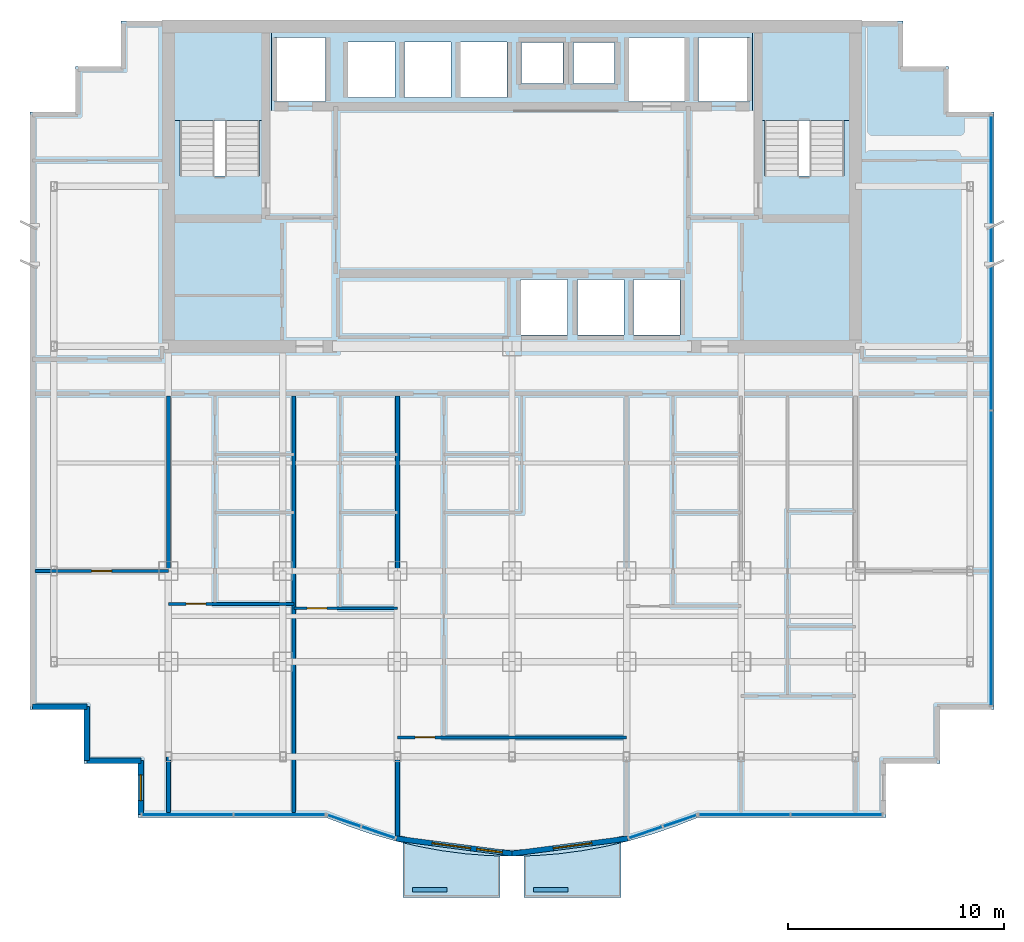
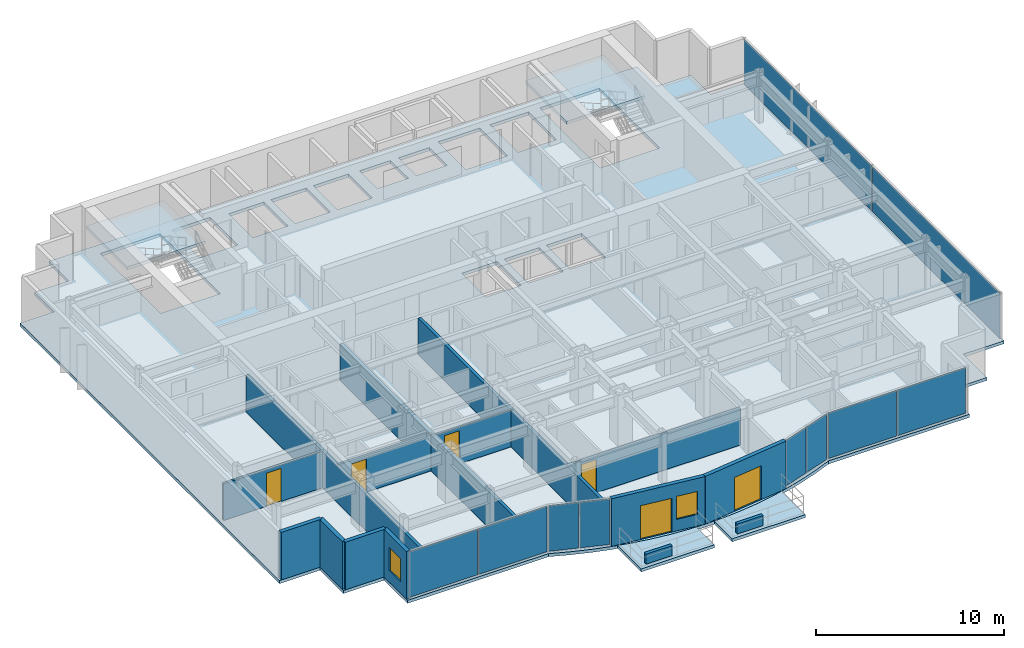
# One storey, part 7 of 13: 15 walls, 10 plates, 6 doors, 5 slabs, 2 windows, 8 openings, 7 elements without a shape of their own.
"""IFC4 building model written with IfcOpenShell, lengths in metres."""

from ifc_helpers import new_model, si_unit, direction, frame, frame_2d, origin, origin_2d, place, context, subcontext, project, spatial, polyline, rectangle, outline, extrude, source, transform, mapped, material, layer, layer_set, type_object, element, fill, aggregate, save


model = new_model("IFC4")

# Units and contexts
model_context = context("Model", 3, precision=1e-05, world=origin(), true_north=direction((0.0, 1.0)))
body_context = subcontext(model_context, "Body", "Model", "MODEL_VIEW")
ifc_project = project(units=[si_unit("LENGTHUNIT", "METRE"), si_unit("AREAUNIT", "SQUARE_METRE"), si_unit("VOLUMEUNIT", "CUBIC_METRE"), si_unit("PLANEANGLEUNIT", "RADIAN"), si_unit("MASSUNIT", "GRAM", prefix="KILO")], contexts=[model_context])

# Site, building, storey
site_placement = place(None, origin())
site = spatial("IfcSite", under=ifc_project, at=site_placement, CompositionType="ELEMENT")
building_placement = place(site_placement, origin())
building = spatial("IfcBuilding", under=site, at=building_placement, Name="Qianlan Lanfeng Residences", CompositionType="ELEMENT")
storey_placement = place(building_placement, frame((0.0, 0.0, 142.5)))
storey = spatial("IfcBuildingStorey", under=building, at=storey_placement, Name="L38", CompositionType="ELEMENT", Elevation=142.5)

# Slabs
ifc_material_1 = material(Name="Concrete C42", Category="concrete")
ifc_layer_1 = layer(ifc_material_1, 0.199951171875)
ifc_layer_set_1 = layer_set([ifc_layer_1], Name="Concrete C42")
slab_type_1 = type_object("IfcSlabType", Name="S-BAL-200", PredefinedType="FLOOR", material=ifc_layer_set_1)
slab_1_placement = place(storey_placement, frame((0.0, 0.0, -0.199951171875)))
element("IfcSlab", 1, at=slab_1_placement, inside=storey, type_object=slab_type_1, Name="L38 Planted Tree Balcony Slab SB-W", PredefinedType="FLOOR", context=body_context, shape_type="SweptSolid", body=[
    extrude(outline(polyline([(25.949951171875, 1.614013671875), (25.422119140625, 1.6279296875), (24.344970703125, 1.712890625), (23.26708984375, 1.85302734375), (22.18994140625, 2.050048828125), (21.449951171875, 2.22412109375), (21.449951171875, -0.300048828125), (25.949951171875, -0.300048828125), (25.949951171875, 1.614013671875)])), origin(), (0.0, 0.0, 1.0), 0.199951171875),
])
slab_2_placement = place(storey_placement, frame((0.0, 0.0, -0.199951171875)))
element("IfcSlab", 2, at=slab_2_placement, inside=storey, type_object=slab_type_1, Name="L38 Planted Tree Balcony Slab SB-E", PredefinedType="FLOOR", context=body_context, shape_type="SweptSolid", body=[
    extrude(outline(polyline([(31.550048828125, 2.22412109375), (30.81005859375, 2.050048828125), (29.73193359375, 1.85302734375), (28.655029296875, 1.7119140625), (27.577880859375, 1.6279296875), (27.050048828125, 1.614013671875), (27.050048828125, -0.300048828125), (31.550048828125, -0.300048828125), (31.550048828125, 2.22412109375)])), origin(), (0.0, 0.0, 1.0), 0.199951171875),
])
ifc_layer_2 = layer(ifc_material_1, 0.199951171875)
ifc_layer_set_2 = layer_set([ifc_layer_2], Name="Concrete C42")
slab_type_2 = type_object("IfcSlabType", Name="S-FL-200", PredefinedType="FLOOR", material=ifc_layer_set_2)
slab_3_placement = place(storey_placement, frame((0.0, 0.0, -0.199951171875)))
element("IfcSlab", 3, at=slab_3_placement, inside=storey, type_object=slab_type_2, Name="L38 Structural Floor Slab", PredefinedType="FLOOR", context=body_context, shape_type="SweptSolid", body=[
    extrude(outline(polyline([(4.199951171875, 8.39990234375), (6.699951171875, 8.39990234375), (6.699951171875, 5.89990234375), (9.199951171875, 5.89990234375), (9.199951171875, 3.39990234375), (17.8798828125, 3.39990234375), (18.95703125, 2.97802734375), (20.034912109375, 2.612060546875), (21.112060546875, 2.302978515625), (22.18994140625, 2.050048828125), (23.26708984375, 1.85302734375), (24.344970703125, 1.712890625), (25.422119140625, 1.6279296875), (26.5, 1.60009765625), (27.577880859375, 1.6279296875), (28.655029296875, 1.7119140625), (29.73193359375, 1.85302734375), (30.81005859375, 2.050048828125), (31.886962890625, 2.302978515625), (32.965087890625, 2.612060546875), (34.0419921875, 2.97802734375), (35.1201171875, 3.39990234375), (43.800048828125, 3.39990234375), (43.800048828125, 5.89990234375), (46.300048828125, 5.89990234375), (46.300048828125, 8.39990234375), (48.800048828125, 8.39990234375), (48.800048828125, 36.050048828125), (46.699951171875, 36.050048828125), (46.699951171875, 38.14990234375), (44.60009765625, 38.14990234375), (44.60009765625, 40.25), (8.39990234375, 40.25), (8.39990234375, 38.14990234375), (6.300048828125, 38.14990234375), (6.300048828125, 36.050048828125), (4.199951171875, 36.050048828125), (4.199951171875, 8.39990234375)]), holes=[polyline([(11.139892578125, 33.080078125), (11.139892578125, 39.5), (14.820068359375, 39.5), (14.820068359375, 33.080078125), (11.139892578125, 33.080078125)]), polyline([(38.179931640625, 33.080078125), (38.179931640625, 39.5), (41.860107421875, 39.5), (41.860107421875, 33.080078125), (38.179931640625, 33.080078125)]), polyline([(15.52001953125, 36.52001953125), (15.52001953125, 39.47998046875), (17.8798828125, 39.47998046875), (17.8798828125, 36.52001953125), (15.52001953125, 36.52001953125)]), polyline([(35.1201171875, 36.52001953125), (35.1201171875, 39.47998046875), (37.47998046875, 39.47998046875), (37.47998046875, 36.52001953125), (35.1201171875, 36.52001953125)]), polyline([(31.919921875, 36.52001953125), (31.919921875, 39.47998046875), (34.47998046875, 39.47998046875), (34.47998046875, 36.52001953125), (31.919921875, 36.52001953125)]), polyline([(26.919921875, 25.719970703125), (26.919921875, 28.280029296875), (29.080078125, 28.280029296875), (29.080078125, 25.719970703125), (26.919921875, 25.719970703125)]), polyline([(29.52001953125, 25.719970703125), (29.52001953125, 28.280029296875), (31.679931640625, 28.280029296875), (31.679931640625, 25.719970703125), (29.52001953125, 25.719970703125)]), polyline([(32.1201171875, 25.719970703125), (32.1201171875, 28.280029296875), (34.280029296875, 28.280029296875), (34.280029296875, 25.719970703125), (32.1201171875, 25.719970703125)]), polyline([(18.919921875, 36.719970703125), (18.919921875, 39.280029296875), (21.080078125, 39.280029296875), (21.080078125, 36.719970703125), (18.919921875, 36.719970703125)]), polyline([(21.52001953125, 36.719970703125), (21.52001953125, 39.280029296875), (23.679931640625, 39.280029296875), (23.679931640625, 36.719970703125), (21.52001953125, 36.719970703125)]), polyline([(24.1201171875, 36.719970703125), (24.1201171875, 39.280029296875), (26.280029296875, 39.280029296875), (26.280029296875, 36.719970703125), (24.1201171875, 36.719970703125)]), polyline([(26.949951171875, 37.35009765625), (26.949951171875, 39.25), (28.85009765625, 39.25), (28.85009765625, 37.35009765625), (26.949951171875, 37.35009765625)]), polyline([(29.35009765625, 37.35009765625), (29.35009765625, 39.25), (31.25, 39.25), (31.25, 37.35009765625), (29.35009765625, 37.35009765625)])]), origin(), (0.0, 0.0, 1.0), 0.199951171875),
])

# Stair, slab
stair_type = type_object("IfcStairType", Name="STR-MAIN", PredefinedType="HALF_TURN_STAIR", material=ifc_material_1)
stair_1_placement = place(storey_placement, origin())
stair_1 = element("IfcStair", 4, at=stair_1_placement, inside=storey, type_object=stair_type, Name="L38 Exit Stair ST-1", PredefinedType="HALF_TURN_STAIR")
ifc_layer_3 = layer(ifc_material_1, 0.179931640625)
ifc_layer_set_3 = layer_set([ifc_layer_3], Name="Concrete C42")
slab_type_3 = type_object("IfcSlabType", Name="S-LND-180", PredefinedType="LANDING", material=ifc_layer_set_3)
slab_4_placement = place(storey_placement, frame((0.0, 0.0, 1.449951171875)))
slab_4 = element("IfcSlab", 5, at=slab_4_placement, type_object=slab_type_3, Name="ST-1 landing 1", PredefinedType="LANDING", context=body_context, shape_type="SweptSolid", body=[
    extrude(outline(polyline([(10.580078125, 35.659912109375), (15.3798828125, 35.659912109375), (15.3798828125, 40.050048828125), (10.580078125, 40.050048828125), (10.580078125, 35.659912109375)])), origin(), (0.0, 0.0, 1.0), 0.199951171875),
])
aggregate(stair_1, [slab_4])

stair_2_placement = place(storey_placement, origin())
stair_2 = element("IfcStair", 6, at=stair_2_placement, inside=storey, type_object=stair_type, Name="L38 Exit Stair ST-2", PredefinedType="HALF_TURN_STAIR")
slab_5_placement = place(storey_placement, frame((0.0, 0.0, 1.449951171875)))
slab_5 = element("IfcSlab", 7, at=slab_5_placement, type_object=slab_type_3, Name="ST-2 landing 1", PredefinedType="LANDING", context=body_context, shape_type="SweptSolid", body=[
    extrude(outline(polyline([(37.6201171875, 35.659912109375), (42.419921875, 35.659912109375), (42.419921875, 40.050048828125), (37.6201171875, 40.050048828125), (37.6201171875, 35.659912109375)])), origin(), (0.0, 0.0, 1.0), 0.199951171875),
])
aggregate(stair_2, [slab_5])

# Curtain wall, plates
ifc_material_2 = material(Name="Anodised Bronze Aluminium 6063-T6", Category="aluminium")
ifc_layer_4 = layer(ifc_material_2, 0.219970703125)
ifc_layer_set_4 = layer_set([ifc_layer_4], Name="Anodised Bronze Aluminium 6063-T6")
curtain_wall_type = type_object("IfcCurtainWallType", Name="CW-04", PredefinedType="NOTDEFINED", material=ifc_layer_set_4)
curtain_wall_1_placement = place(storey_placement, origin())
curtain_wall_1 = element("IfcCurtainWall", 8, at=curtain_wall_1_placement, inside=storey, type_object=curtain_wall_type, Name="L38 Unitised Curtain Wall CWR-L38-01 (CW-04)", PredefinedType="NOTDEFINED")
ifc_material_3 = material(Name="Dark Bronze Tinted Insulated Glass", Category="glass")
ifc_layer_5 = layer(ifc_material_3, 0.0380859375)
ifc_layer_set_5 = layer_set([ifc_layer_5], Name="Dark Bronze Tinted Insulated Glass")
plate_type_1 = type_object("IfcPlateType", Name="PNL-GLZ-BRZ", PredefinedType="CURTAIN_PANEL", material=ifc_layer_set_5)
shared_shape_1 = source(origin(), body_context, "Body", "SweptSolid", [
    extrude(rectangle(XDim=4.180908203125, YDim=0.0380859375, at=origin_2d()), origin(), (0.0, 0.0, 1.0), 2.951904296875),
])
plate_1_placement = place(storey_placement, frame((11.484619140625, 3.52001953125, 0.07421875), z_axis=(0.0, 0.0, 1.0), x_axis=(1.0, 0.0, 0.0)))
plate_1 = element("IfcPlate", 9, at=plate_1_placement, type_object=plate_type_1, Name="CWR-L38-01 Curtain Panel 1", PredefinedType="CURTAIN_PANEL", context=body_context, shape_type="MappedRepresentation", body=[
    mapped(shared_shape_1, transform((0.0, 0.0, 0.0), scale=1.0)),
])
plate_2_placement = place(storey_placement, frame((15.738525390625, 3.52001953125, 0.07421875), z_axis=(0.0, 0.0, 1.0), x_axis=(1.0, 0.0, 0.0)))
plate_2 = element("IfcPlate", 10, at=plate_2_placement, type_object=plate_type_1, Name="CWR-L38-01 Curtain Panel 2", PredefinedType="CURTAIN_PANEL", context=body_context, shape_type="MappedRepresentation", body=[
    mapped(shared_shape_1, transform((0.0, 0.0, 0.0), scale=1.0)),
])
aggregate(curtain_wall_1, [plate_1, plate_2])

# Curtain wall, plate
curtain_wall_2_placement = place(storey_placement, origin())
curtain_wall_2 = element("IfcCurtainWall", 11, at=curtain_wall_2_placement, inside=storey, type_object=curtain_wall_type, Name="L38 Unitised Curtain Wall CWR-L38-04 (CW-04)", PredefinedType="NOTDEFINED")
plate_3_placement = place(storey_placement, frame((37.261474609375, 3.52001953125, 0.07421875), z_axis=(0.0, 0.0, 1.0), x_axis=(1.0, 0.0, 0.0)))
plate_3 = element("IfcPlate", 12, at=plate_3_placement, type_object=plate_type_1, Name="CWR-L38-04 Curtain Panel 1", PredefinedType="CURTAIN_PANEL", context=body_context, shape_type="MappedRepresentation", body=[
    mapped(shared_shape_1, transform((0.0, 0.0, 0.0), scale=1.0)),
])

curtain_wall_3_placement = place(storey_placement, origin())
curtain_wall_3 = element("IfcCurtainWall", 13, at=curtain_wall_3_placement, inside=storey, type_object=curtain_wall_type, Name="L38 Unitised Curtain Wall CWR-L38-02 (CW-04)", PredefinedType="NOTDEFINED")
shared_shape_2 = source(origin(), body_context, "Body", "SweptSolid", [
    extrude(rectangle(XDim=1.60009765625, YDim=0.0380859375, at=origin_2d()), origin(), (0.0, 0.0, 1.0), 2.951904296875),
])
plate_4_placement = place(storey_placement, frame((18.73046875, 3.23876953125, 0.07421875), z_axis=(0.0, 0.0, 1.0), x_axis=(0.946795963885, -0.321834433787, 0.0)))
plate_4 = element("IfcPlate", 14, at=plate_4_placement, type_object=plate_type_1, Name="CWR-L38-02 Curtain Panel 1", PredefinedType="CURTAIN_PANEL", context=body_context, shape_type="MappedRepresentation", body=[
    mapped(shared_shape_2, transform((0.0, 0.0, 0.0), scale=1.0)),
])

# Curtain wall, plates
curtain_wall_4_placement = place(storey_placement, origin())
curtain_wall_4 = element("IfcCurtainWall", 15, at=curtain_wall_4_placement, inside=storey, type_object=curtain_wall_type, Name="L38 Unitised Curtain Wall CWR-L38-03 (CW-04)", PredefinedType="NOTDEFINED")
shared_shape_3 = source(origin(), body_context, "Body", "SweptSolid", [
    extrude(rectangle(XDim=1.6005859375, YDim=0.0380859375, at=origin_2d()), origin(), (0.0, 0.0, 1.0), 2.951904296875),
])
plate_5_placement = place(storey_placement, frame((32.684814453125, 2.7001953125, 0.07421875), z_axis=(0.0, 0.0, 1.0), x_axis=(0.946826291861, 0.32174519894, 0.0)))
plate_5 = element("IfcPlate", 16, at=plate_5_placement, type_object=plate_type_1, Name="CWR-L38-03 Curtain Panel 1", PredefinedType="CURTAIN_PANEL", context=body_context, shape_type="MappedRepresentation", body=[
    mapped(shared_shape_3, transform((0.0, 0.0, 0.0), scale=1.0)),
])
plate_6_placement = place(storey_placement, frame((34.269287109375, 3.23876953125, 0.07421875), z_axis=(0.0, 0.0, 1.0), x_axis=(0.946826291861, 0.32174519894, 0.0)))
plate_6 = element("IfcPlate", 17, at=plate_6_placement, type_object=plate_type_1, Name="CWR-L38-03 Curtain Panel 2", PredefinedType="CURTAIN_PANEL", context=body_context, shape_type="MappedRepresentation", body=[
    mapped(shared_shape_3, transform((0.0, 0.0, 0.0), scale=1.0)),
])
aggregate(curtain_wall_4, [plate_5, plate_6])

curtain_wall_5_placement = place(storey_placement, origin())
curtain_wall_5 = element("IfcCurtainWall", 18, at=curtain_wall_5_placement, inside=storey, type_object=curtain_wall_type, Name="L38 Unitised Curtain Wall CWR-L38-05 (CW-04)", PredefinedType="NOTDEFINED")
shared_shape_4 = source(origin(), body_context, "Body", "SweptSolid", [
    extrude(rectangle(XDim=13.594482421875, YDim=0.0380859375, at=origin_2d()), origin(), (0.0, 0.0, 1.0), 2.951904296875),
])
plate_7_placement = place(storey_placement, frame((48.679931640625, 15.39111328125, 0.07421875), z_axis=(0.0, 0.0, 1.0), x_axis=(0.0, 1.0, 0.0)))
plate_7 = element("IfcPlate", 19, at=plate_7_placement, type_object=plate_type_1, Name="CWR-L38-05 Curtain Panel 1", PredefinedType="CURTAIN_PANEL", context=body_context, shape_type="MappedRepresentation", body=[
    mapped(shared_shape_4, transform((0.0, 0.0, 0.0), scale=1.0)),
])
plate_8_placement = place(storey_placement, frame((48.679931640625, 29.05859375, 0.07421875), z_axis=(0.0, 0.0, 1.0), x_axis=(0.0, 1.0, 0.0)))
plate_8 = element("IfcPlate", 20, at=plate_8_placement, type_object=plate_type_1, Name="CWR-L38-05 Curtain Panel 2", PredefinedType="CURTAIN_PANEL", context=body_context, shape_type="MappedRepresentation", body=[
    mapped(shared_shape_4, transform((0.0, 0.0, 0.0), scale=1.0)),
])
aggregate(curtain_wall_5, [plate_7, plate_8])

# Plate
ifc_material_4 = material(Name="Perforated Champagne Gold Aluminium Panel", Category="aluminium")
ifc_layer_6 = layer(ifc_material_4, 0.0400390625)
ifc_layer_set_6 = layer_set([ifc_layer_6], Name="Perforated Champagne Gold Aluminium Panel")
plate_type_2 = type_object("IfcPlateType", Name="PNL-PRF-GLD", PredefinedType="CURTAIN_PANEL", material=ifc_layer_set_6)
shared_shape_5 = source(origin(), body_context, "Body", "SweptSolid", [
    extrude(rectangle(XDim=1.60009765625, YDim=0.0400390625, at=origin_2d()), origin(), (0.0, 0.0, 1.0), 2.951904296875),
])
plate_9_placement = place(storey_placement, frame((20.314453125, 2.7001953125, 0.07421875), z_axis=(0.0, 0.0, 1.0), x_axis=(0.946795963885, -0.321834433787, 0.0)))
plate_9 = element("IfcPlate", 21, at=plate_9_placement, type_object=plate_type_2, Name="CWR-L38-02 Curtain Panel 2", PredefinedType="CURTAIN_PANEL", context=body_context, shape_type="MappedRepresentation", body=[
    mapped(shared_shape_5, transform((0.0, 0.0, 0.0), scale=1.0)),
])

aggregate(curtain_wall_3, [plate_4, plate_9])

shared_shape_6 = source(origin(), body_context, "Body", "SweptSolid", [
    extrude(rectangle(XDim=4.180908203125, YDim=0.0400390625, at=origin_2d()), origin(), (0.0, 0.0, 1.0), 2.951904296875),
])
plate_10_placement = place(storey_placement, frame((41.515380859375, 3.52001953125, 0.07421875), z_axis=(0.0, 0.0, 1.0), x_axis=(1.0, 0.0, 0.0)))
plate_10 = element("IfcPlate", 22, at=plate_10_placement, type_object=plate_type_2, Name="CWR-L38-04 Curtain Panel 2", PredefinedType="CURTAIN_PANEL", context=body_context, shape_type="MappedRepresentation", body=[
    mapped(shared_shape_6, transform((0.0, 0.0, 0.0), scale=1.0)),
])

aggregate(curtain_wall_2, [plate_3, plate_10])

# Walls
ifc_layer_7 = layer(ifc_material_1, 0.239990234375)
ifc_layer_set_7 = layer_set([ifc_layer_7], Name="Concrete C42")
wall_type_1 = type_object("IfcWallType", Name="EW-240", PredefinedType="SOLIDWALL", material=ifc_layer_set_7)
for number, where, z_axis, x_axis, name in (
    (23, (4.320068359375, 8.52001953125, 0.0), (0.0, 0.0, 1.0), (1.0, 0.0, 0.0), "L38 Exterior Facade Spandrel Wall 1"),
    (24, (6.820068359375, 8.52001953125, 0.0), (0.0, 0.0, 1.0), (0.0, -1.0, 0.0), "L38 Exterior Facade Spandrel Wall 2"),
    (25, (6.820068359375, 6.02001953125, 0.0), (0.0, 0.0, 1.0), (1.0, 0.0, 0.0), "L38 Exterior Facade Spandrel Wall 3"),
):
    element("IfcWall", number, at=place(storey_placement, frame(where, z_axis=z_axis, x_axis=x_axis)), inside=storey, type_object=wall_type_1, Name=name, PredefinedType="SOLIDWALL", context=body_context, shape_type="SweptSolid", body=[
        extrude(rectangle(XDim=2.5, YDim=0.239990234375, at=frame_2d((1.25, 0.0))), origin(), (0.0, 0.0, 1.0), 3.10009765625),
    ])

# Wall, opening, window
wall_1_placement = place(storey_placement, frame((9.320068359375, 6.02001953125, 0.0), z_axis=(0.0, 0.0, 1.0), x_axis=(0.0, -1.0, 0.0)))
wall_1 = element("IfcWall", 26, at=wall_1_placement, inside=storey, type_object=wall_type_1, Name="L38 Exterior Facade Spandrel Wall 4", PredefinedType="SOLIDWALL", context=body_context, shape_type="SweptSolid", body=[
    extrude(rectangle(XDim=2.5, YDim=0.239990234375, at=frame_2d((1.25, 0.0))), origin(), (0.0, 0.0, 1.0), 3.10009765625),
])
opening_1_placement = place(wall_1_placement, frame((0.64990234375, 0.0, 0.75)))
opening_1 = element("IfcOpeningElement", 27, at=opening_1_placement, cuts=wall_1, Name="Opening W-03", PredefinedType="OPENING", context=body_context, shape_type="SweptSolid", body=[
    extrude(rectangle(XDim=1.199951171875, YDim=1.5, at=frame_2d((0.60009765625, 0.75))), frame((0.0, 0.1298828125, 0.0), z_axis=(0.0, -1.0, 0.0), x_axis=(1.0, 0.0, 0.0)), (0.0, 0.0, 1.0), 0.260009765625),
])
ifc_material_5 = material(Name="Anodised Bronze Aluminium Framed Double Glazing", Category="aluminium")
window_type = type_object("IfcWindowType", Name="W-03", PartitioningType="SINGLE_PANEL", PredefinedType="WINDOW", material=ifc_material_5)
window_1_placement = place(opening_1_placement, origin())
window_1 = element("IfcWindow", 28, at=window_1_placement, inside=storey, type_object=window_type, Name="L38 Facade Punched Window W-03", OverallHeight=1.5, OverallWidth=1.199951171875, PartitioningType="SINGLE_PANEL", PredefinedType="WINDOW", context=body_context, shape_type="SweptSolid", body=[
    extrude(rectangle(XDim=1.199951171875, YDim=1.5, at=frame_2d((0.60009765625, 0.75))), frame((0.0, 0.030029296875, 0.0), z_axis=(0.0, -1.0, 0.0), x_axis=(1.0, 0.0, 0.0)), (0.0, 0.0, 1.0), 0.06005859375),
])
fill(opening_1, window_1)

# Wall, openings, door, window
wall_2_placement = place(storey_placement, frame((21.14208984375, 2.4189453125, 0.0), z_axis=(0.0, 0.0, 1.0), x_axis=(0.991597639478, -0.129360432053, 0.0)))
wall_2 = element("IfcWall", 29, at=wall_2_placement, inside=storey, type_object=wall_type_1, Name="L38 Terrace/Balcony Access Exterior Wall 5", PredefinedType="SOLIDWALL", context=body_context, shape_type="SweptSolid", body=[
    extrude(rectangle(XDim=5.4033203125, YDim=0.239990234375, at=frame_2d((2.70166015625, 0.0))), origin(), (0.0, 0.0, 1.0), 3.10009765625),
])
opening_2_placement = place(wall_2_placement, frame((1.672119140625, 0.0, 0.0)))
opening_2 = element("IfcOpeningElement", 30, at=opening_2_placement, cuts=wall_2, Name="Opening L38-D-SB-W", PredefinedType="OPENING", context=body_context, shape_type="SweptSolid", body=[
    extrude(rectangle(XDim=1.800048828125, YDim=2.199951171875, at=frame_2d((0.89990234375, 1.10009765625))), frame((0.0, 0.1298828125, 0.0), z_axis=(0.0, -1.0, 0.0), x_axis=(1.0, 0.0, 0.0)), (0.0, 0.0, 1.0), 0.260009765625),
])
opening_3_placement = place(wall_2_placement, frame((3.7529296875, 0.0, 0.75)))
opening_3 = element("IfcOpeningElement", 31, at=opening_3_placement, cuts=wall_2, Name="Opening W-03", PredefinedType="OPENING", context=body_context, shape_type="SweptSolid", body=[
    extrude(rectangle(XDim=1.199951171875, YDim=1.5, at=frame_2d((0.60009765625, 0.75))), frame((0.0, 0.1298828125, 0.0), z_axis=(0.0, -1.0, 0.0), x_axis=(1.0, 0.0, 0.0)), (0.0, 0.0, 1.0), 0.260009765625),
])
ifc_material_6 = material(Name="Anodised Bronze Aluminium Framed Glass", Category="aluminium")
door_type_1 = type_object("IfcDoorType", Name="DT-BAL1", OperationType="NOTDEFINED", PredefinedType="DOOR", material=ifc_material_6)
door_1_placement = place(opening_2_placement, frame((1.800048828125, 0.0, 0.0), z_axis=(0.0, 0.0, 1.0), x_axis=(-1.0, 0.0, 0.0)))
door_1 = element("IfcDoor", 32, at=door_1_placement, inside=storey, type_object=door_type_1, Name="L38 Exterior Access Door SB-W", OperationType="DOUBLE_DOOR_SLIDING", OverallHeight=2.199951171875, OverallWidth=1.800048828125, PredefinedType="DOOR", context=body_context, shape_type="SweptSolid", body=[
    extrude(rectangle(XDim=1.800048828125, YDim=2.199951171875, at=frame_2d((0.89990234375, 1.10009765625))), frame((0.0, 0.02490234375, 0.0), z_axis=(0.0, -1.0, 0.0), x_axis=(1.0, 0.0, 0.0)), (0.0, 0.0, 1.0), 0.050048828125),
])
fill(opening_2, door_1)
window_2_placement = place(opening_3_placement, origin())
window_2 = element("IfcWindow", 33, at=window_2_placement, inside=storey, type_object=window_type, Name="L38 Exterior Window W-03", OverallHeight=1.5, OverallWidth=1.199951171875, PartitioningType="SINGLE_PANEL", PredefinedType="WINDOW", context=body_context, shape_type="SweptSolid", body=[
    extrude(rectangle(XDim=1.199951171875, YDim=1.5, at=frame_2d((0.60009765625, 0.75))), frame((0.0, 0.030029296875, 0.0), z_axis=(0.0, -1.0, 0.0), x_axis=(1.0, 0.0, 0.0)), (0.0, 0.0, 1.0), 0.06005859375),
])
fill(opening_3, window_2)

# Wall, opening, door
wall_3_placement = place(storey_placement, frame((26.5, 1.719970703125, 0.0), z_axis=(0.0, 0.0, 1.0), x_axis=(0.991594614239, 0.129383619568, 0.0)))
wall_3 = element("IfcWall", 34, at=wall_3_placement, inside=storey, type_object=wall_type_1, Name="L38 Terrace/Balcony Access Exterior Wall 6", PredefinedType="SOLIDWALL", context=body_context, shape_type="SweptSolid", body=[
    extrude(rectangle(XDim=5.40234375, YDim=0.239990234375, at=frame_2d((2.701171875, 0.0))), origin(), (0.0, 0.0, 1.0), 3.10009765625),
])
opening_4_placement = place(wall_3_placement, frame((1.930908203125, 0.0, 0.0)))
opening_4 = element("IfcOpeningElement", 35, at=opening_4_placement, cuts=wall_3, Name="Opening L38-D-SB-E", PredefinedType="OPENING", context=body_context, shape_type="SweptSolid", body=[
    extrude(rectangle(XDim=1.800048828125, YDim=2.199951171875, at=frame_2d((0.89990234375, 1.10009765625))), frame((0.0, 0.1298828125, 0.0), z_axis=(0.0, -1.0, 0.0), x_axis=(1.0, 0.0, 0.0)), (0.0, 0.0, 1.0), 0.260009765625),
])
door_2_placement = place(opening_4_placement, frame((1.800048828125, 0.0, 0.0), z_axis=(0.0, 0.0, 1.0), x_axis=(-1.0, 0.0, 0.0)))
door_2 = element("IfcDoor", 36, at=door_2_placement, inside=storey, type_object=door_type_1, Name="L38 Exterior Access Door SB-E", OperationType="DOUBLE_DOOR_SLIDING", OverallHeight=2.199951171875, OverallWidth=1.800048828125, PredefinedType="DOOR", context=body_context, shape_type="SweptSolid", body=[
    extrude(rectangle(XDim=1.800048828125, YDim=2.199951171875, at=frame_2d((0.89990234375, 1.10009765625))), frame((0.0, 0.02490234375, 0.0), z_axis=(0.0, -1.0, 0.0), x_axis=(1.0, 0.0, 0.0)), (0.0, 0.0, 1.0), 0.050048828125),
])
fill(opening_4, door_2)

# Walls
ifc_layer_8 = layer(ifc_material_1, 0.199951171875)
ifc_layer_set_8 = layer_set([ifc_layer_8], Name="Concrete C42")
wall_type_2 = type_object("IfcWallType", Name="PL-TREE-200", PredefinedType="PARAPET", material=ifc_layer_set_8)
for number, where, z_axis, x_axis, name in (
    (37, (21.89990234375, 0.050048828125, 0.0), (0.0, 0.0, 1.0), (1.0, 0.0, 0.0), "L38 Balcony Tree Planter Curb SB-W"),
    (38, (27.5, 0.050048828125, 0.0), (0.0, 0.0, 1.0), (1.0, 0.0, 0.0), "L38 Balcony Tree Planter Curb SB-E"),
):
    element("IfcWall", number, at=place(storey_placement, frame(where, z_axis=z_axis, x_axis=x_axis)), inside=storey, type_object=wall_type_2, Name=name, PredefinedType="PARAPET", context=body_context, shape_type="SweptSolid", body=[
        extrude(rectangle(XDim=1.60009765625, YDim=0.199951171875, at=frame_2d((0.800048828125, 0.0))), origin(), (0.0, 0.0, 1.0), 0.64990234375),
    ])

# Wall, opening, door
ifc_material_7 = material(Name="Moisture-Resistant Gypsum Partition 135 mm")
ifc_layer_9 = layer(ifc_material_7, 0.135009765625)
ifc_layer_set_9 = layer_set([ifc_layer_9], Name="Moisture-Resistant Gypsum Partition 135 mm")
wall_type_3 = type_object("IfcWallType", Name="PW-135", PredefinedType="PARTITIONING", material=ifc_layer_set_9)
wall_4_placement = place(storey_placement, frame((10.60009765625, 13.27490234375, 0.0), z_axis=(0.0, 0.0, 1.0), x_axis=(1.0, 0.0, 0.0)))
wall_4 = element("IfcWall", 39, at=wall_4_placement, inside=storey, type_object=wall_type_3, Name="L38 U01 Living Divider", PredefinedType="PARTITIONING", context=body_context, shape_type="SweptSolid", body=[
    extrude(rectangle(XDim=5.7998046875, YDim=0.135009765625, at=frame_2d((2.89990234375, 0.0))), origin(), (0.0, 0.0, 1.0), 2.3798828125),
])
opening_5_placement = place(wall_4_placement, frame((0.81494140625, 0.0, 0.0)))
opening_5 = element("IfcOpeningElement", 40, at=opening_5_placement, cuts=wall_4, Name="Opening L38-D16", PredefinedType="OPENING", context=body_context, shape_type="SweptSolid", body=[
    extrude(rectangle(XDim=0.919921875, YDim=2.14990234375, at=frame_2d((0.4599609375, 1.074951171875))), frame((0.0, 0.07763671875, 0.0), z_axis=(0.0, -1.0, 0.0), x_axis=(1.0, 0.0, 0.0)), (0.0, 0.0, 1.0), 0.155029296875),
])
ifc_material_8 = material(Name="Glazed Timber Kitchen/Study Door", Category="wood")
door_type_2 = type_object("IfcDoorType", Name="DT-INT", OperationType="NOTDEFINED", PredefinedType="DOOR", material=ifc_material_8)
door_3_placement = place(opening_5_placement, origin())
door_3 = element("IfcDoor", 41, at=door_3_placement, inside=storey, type_object=door_type_2, Name="L38 U01 Living Passage Door L38-D16 (DT-INT)", OperationType="SINGLE_SWING_LEFT", OverallHeight=2.14990234375, OverallWidth=0.919921875, PredefinedType="DOOR", context=body_context, shape_type="SweptSolid", body=[
    extrude(rectangle(XDim=0.919921875, YDim=2.14990234375, at=frame_2d((0.4599609375, 1.074951171875))), frame((0.0, 0.02490234375, 0.0), z_axis=(0.0, -1.0, 0.0), x_axis=(1.0, 0.0, 0.0)), (0.0, 0.0, 1.0), 0.050048828125),
])
fill(opening_5, door_3)

wall_5_placement = place(storey_placement, frame((16.39990234375, 13.075927734375, 0.0), z_axis=(0.0, 0.0, 1.0), x_axis=(1.0, 0.0, 0.0)))
wall_5 = element("IfcWall", 42, at=wall_5_placement, inside=storey, type_object=wall_type_3, Name="L38 U02 Living Divider", PredefinedType="PARTITIONING", context=body_context, shape_type="SweptSolid", body=[
    extrude(rectangle(XDim=4.800048828125, YDim=0.135009765625, at=frame_2d((2.39990234375, 0.0))), origin(), (0.0, 0.0, 1.0), 2.3798828125),
])
opening_6_placement = place(wall_5_placement, frame((0.614990234375, 0.0, 0.0)))
opening_6 = element("IfcOpeningElement", 43, at=opening_6_placement, cuts=wall_5, Name="Opening L38-D21", PredefinedType="OPENING", context=body_context, shape_type="SweptSolid", body=[
    extrude(rectangle(XDim=0.919921875, YDim=2.14990234375, at=frame_2d((0.4599609375, 1.074951171875))), frame((0.0, 0.07763671875, 0.0), z_axis=(0.0, -1.0, 0.0), x_axis=(1.0, 0.0, 0.0)), (0.0, 0.0, 1.0), 0.155029296875),
])
door_4_placement = place(opening_6_placement, frame((0.919921875, 0.0, 0.0), z_axis=(0.0, 0.0, 1.0), x_axis=(-1.0, 0.0, 0.0)))
door_4 = element("IfcDoor", 44, at=door_4_placement, inside=storey, type_object=door_type_2, Name="L38 U02 Living Passage Door L38-D21 (DT-INT)", OperationType="SINGLE_SWING_RIGHT", OverallHeight=2.14990234375, OverallWidth=0.919921875, PredefinedType="DOOR", context=body_context, shape_type="SweptSolid", body=[
    extrude(rectangle(XDim=0.919921875, YDim=2.14990234375, at=frame_2d((0.4599609375, 1.074951171875))), frame((0.0, 0.02490234375, 0.0), z_axis=(0.0, -1.0, 0.0), x_axis=(1.0, 0.0, 0.0)), (0.0, 0.0, 1.0), 0.050048828125),
])
fill(opening_6, door_4)

wall_6_placement = place(storey_placement, frame((21.199951171875, 7.10302734375, 0.0), z_axis=(0.0, 0.0, 1.0), x_axis=(1.0, 0.0, 0.0)))
wall_6 = element("IfcWall", 45, at=wall_6_placement, inside=storey, type_object=wall_type_3, Name="L38 U03 Living Divider", PredefinedType="PARTITIONING", context=body_context, shape_type="SweptSolid", body=[
    extrude(rectangle(XDim=10.60009765625, YDim=0.135009765625, at=frame_2d((5.300048828125, 0.0))), origin(), (0.0, 0.0, 1.0), 2.3798828125),
])
opening_7_placement = place(wall_6_placement, frame((0.81494140625, 0.0, 0.0)))
opening_7 = element("IfcOpeningElement", 46, at=opening_7_placement, cuts=wall_6, Name="Opening L38-D26", PredefinedType="OPENING", context=body_context, shape_type="SweptSolid", body=[
    extrude(rectangle(XDim=0.919921875, YDim=2.14990234375, at=frame_2d((0.4599609375, 1.074951171875))), frame((0.0, 0.07763671875, 0.0), z_axis=(0.0, -1.0, 0.0), x_axis=(1.0, 0.0, 0.0)), (0.0, 0.0, 1.0), 0.155029296875),
])
door_5_placement = place(opening_7_placement, origin())
door_5 = element("IfcDoor", 47, at=door_5_placement, inside=storey, type_object=door_type_2, Name="L38 U03 Living Passage Door L38-D26 (DT-INT)", OperationType="SINGLE_SWING_LEFT", OverallHeight=2.14990234375, OverallWidth=0.919921875, PredefinedType="DOOR", context=body_context, shape_type="SweptSolid", body=[
    extrude(rectangle(XDim=0.919921875, YDim=2.14990234375, at=frame_2d((0.4599609375, 1.074951171875))), frame((0.0, 0.02490234375, 0.0), z_axis=(0.0, -1.0, 0.0), x_axis=(1.0, 0.0, 0.0)), (0.0, 0.0, 1.0), 0.050048828125),
])
fill(opening_7, door_5)

wall_7_placement = place(storey_placement, frame((4.419921875, 14.800048828125, 0.0), z_axis=(0.0, 0.0, 1.0), x_axis=(1.0, 0.0, 0.0)))
wall_7 = element("IfcWall", 48, at=wall_7_placement, inside=storey, type_object=wall_type_3, Name="L38 SWP Mid Partition", PredefinedType="PARTITIONING", context=body_context, shape_type="SweptSolid", body=[
    extrude(rectangle(XDim=6.18017578125, YDim=0.135009765625, at=frame_2d((3.090087890625, 0.0))), origin(), (0.0, 0.0, 1.0), 2.3798828125),
])
opening_8_placement = place(wall_7_placement, frame((2.6298828125, 0.0, 0.0)))
opening_8 = element("IfcOpeningElement", 49, at=opening_8_placement, cuts=wall_7, Name="Opening L38-D40", PredefinedType="OPENING", context=body_context, shape_type="SweptSolid", body=[
    extrude(rectangle(XDim=0.919921875, YDim=2.14990234375, at=frame_2d((0.4599609375, 1.074951171875))), frame((0.0, 0.07763671875, 0.0), z_axis=(0.0, -1.0, 0.0), x_axis=(1.0, 0.0, 0.0)), (0.0, 0.0, 1.0), 0.155029296875),
])
door_6_placement = place(opening_8_placement, origin())
door_6 = element("IfcDoor", 50, at=door_6_placement, inside=storey, type_object=door_type_2, Name="L38 SWP Inner Door L38-D40 (DT-INT)", OperationType="SINGLE_SWING_LEFT", OverallHeight=2.14990234375, OverallWidth=0.919921875, PredefinedType="DOOR", context=body_context, shape_type="SweptSolid", body=[
    extrude(rectangle(XDim=0.919921875, YDim=2.14990234375, at=frame_2d((0.4599609375, 1.074951171875))), frame((0.0, 0.02490234375, 0.0), z_axis=(0.0, -1.0, 0.0), x_axis=(1.0, 0.0, 0.0)), (0.0, 0.0, 1.0), 0.050048828125),
])
fill(opening_8, door_6)

# Walls
ifc_material_9 = material(Name="Double-Layer Acoustic Gypsum Stud Wall 180 mm")
ifc_layer_10 = layer(ifc_material_9, 0.179931640625)
ifc_layer_set_10 = layer_set([ifc_layer_10], Name="Double-Layer Acoustic Gypsum Stud Wall 180 mm")
wall_type_4 = type_object("IfcWallType", Name="PW-180", PredefinedType="PARTITIONING", material=ifc_layer_set_10)
for number, where, z_axis, x_axis, name in (
    (51, (10.60009765625, 3.6201171875, 0.0), (0.0, 0.0, 1.0), (0.0, 1.0, 0.0), "L38 Wing Boundary Party Wall W0"),
    (52, (16.39990234375, 3.6201171875, 0.0), (0.0, 0.0, 1.0), (0.0, 1.0, 0.0), "L38 Inter-Tenancy Party Wall 2"),
):
    element("IfcWall", number, at=place(storey_placement, frame(where, z_axis=z_axis, x_axis=x_axis)), inside=storey, type_object=wall_type_4, Name=name, PredefinedType="PARTITIONING", context=body_context, shape_type="SweptSolid", body=[
        extrude(rectangle(XDim=19.27978515625, YDim=0.179931640625, at=frame_2d((9.639892578125, 0.0))), origin(), (0.0, 0.0, 1.0), 2.3798828125),
    ])
wall_8_placement = place(storey_placement, frame((21.199951171875, 2.508056640625, 0.0), z_axis=(0.0, 0.0, 1.0), x_axis=(0.0, 1.0, 0.0)))
element("IfcWall", 53, at=wall_8_placement, inside=storey, type_object=wall_type_4, Name="L38 Inter-Tenancy Party Wall 3", PredefinedType="PARTITIONING", context=body_context, shape_type="SweptSolid", body=[
    extrude(rectangle(XDim=20.391845703125, YDim=0.179931640625, at=frame_2d((10.19580078125, 0.0))), origin(), (0.0, 0.0, 1.0), 2.3798828125),
])

save(model, "model.ifc")
